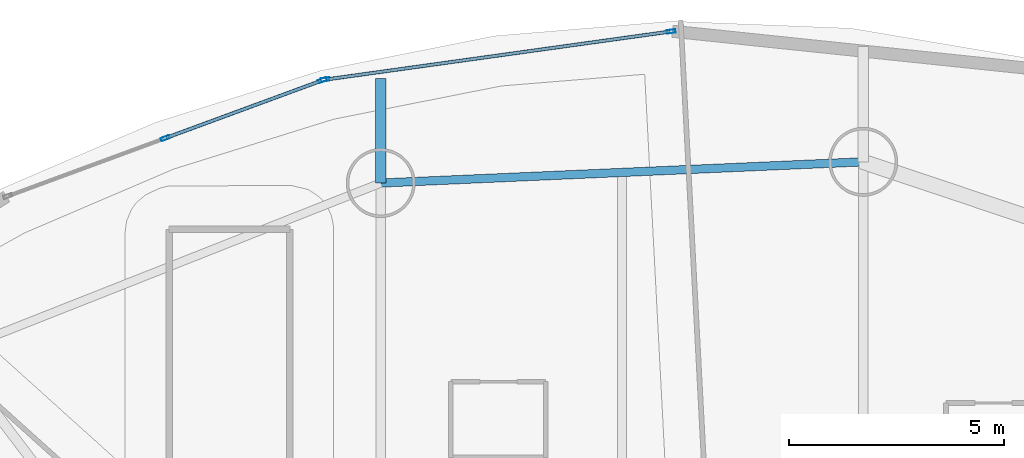
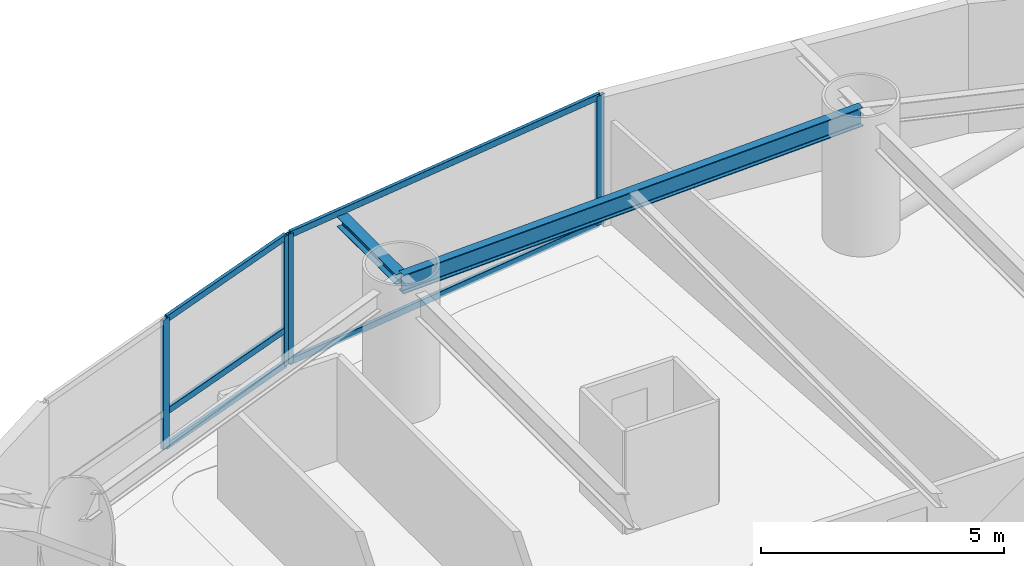
# One storey, part 19 of 30: 9 members, 2 beams, 2 elements without a shape of their own.
"""IFC4 building model written with IfcOpenShell, lengths in metres."""

from ifc_helpers import new_model, si_unit, direction, frame, origin, origin_2d, place, context, subcontext, project, spatial, hollow_rectangle, i_section, extrude, material, layer, layer_set, material_profile, profile_set, type_object, element, aggregate, save


model = new_model("IFC4")

# Units and contexts
model_context = context("Model", 3, precision=1e-05, world=origin(), true_north=direction((0.0, 1.0)))
body_context = subcontext(model_context, "Body", "Model", "MODEL_VIEW")
ifc_project = project(units=[si_unit("LENGTHUNIT", "METRE"), si_unit("AREAUNIT", "SQUARE_METRE"), si_unit("VOLUMEUNIT", "CUBIC_METRE"), si_unit("PLANEANGLEUNIT", "RADIAN"), si_unit("MASSUNIT", "GRAM", prefix="KILO")], contexts=[model_context])

# Site, building, storey
site_placement = place(None, origin())
site = spatial("IfcSite", under=ifc_project, at=site_placement, CompositionType="ELEMENT")
building_placement = place(site_placement, origin())
building = spatial("IfcBuilding", under=site, at=building_placement, Name="Bramvorn Convention Spire", CompositionType="ELEMENT")
storey_placement = place(building_placement, frame((0.0, 0.0, 86.89990234375)))
storey = spatial("IfcBuildingStorey", under=building, at=storey_placement, Name="L20", CompositionType="ELEMENT", Elevation=86.89990234375)

# Beams
ifc_material_1 = material(Name="Steel CSA G40.21 Grade 350 (350W)", Category="steel")
ifc_material_profile_1 = material_profile(ifc_material_1, i_section(OverallWidth=0.25390625, OverallDepth=0.2529296875, WebThickness=0.008544921875, FlangeThickness=0.01416015625, FilletRadius=0.011962890625, at=origin_2d()))
ifc_profile_set_1 = profile_set([ifc_material_profile_1], Name="Steel CSA G40.21 Grade 350 (350W) - W250X73")
beam_type_1 = type_object("IfcBeamType", Name="BM-W250X73", PredefinedType="BEAM", material=ifc_profile_set_1)
beam_1_placement = place(storey_placement, frame((29.76220703125, 46.57666015625, 3.12353515625), z_axis=(0.0, 1.0, 0.0), x_axis=(-1.0, 0.0, 0.0)))
element("IfcBeam", 1, at=beam_1_placement, inside=storey, type_object=beam_type_1, Name="L20 slab-edge cantilever tip beam MC06", PredefinedType="BEAM", context=body_context, shape_type="SweptSolid", body=[
    extrude(i_section(OverallWidth=0.25390625, OverallDepth=0.2529296875, WebThickness=0.008544921875, FlangeThickness=0.01416015625, FilletRadius=0.011962890625, at=origin_2d()), origin(), (0.0, 0.0, 1.0), 2.421875),
])
ifc_material_profile_2 = material_profile(ifc_material_1, i_section(OverallWidth=0.194091796875, OverallDepth=0.468994140625, WebThickness=0.0126953125, FlangeThickness=0.0205078125, FilletRadius=0.01806640625, at=origin_2d()))
ifc_profile_set_2 = profile_set([ifc_material_profile_2], Name="Steel CSA G40.21 Grade 350 (350W) - W460X106")
beam_type_2 = type_object("IfcBeamType", Name="BM-W460X106", PredefinedType="SPANDREL", material=ifc_profile_set_2)
beam_2_placement = place(storey_placement, frame((40.9609375, 47.06884765625, 3.015625), z_axis=(-0.999035582762, -0.043907907889, 0.0), x_axis=(0.043907907889, -0.999035582762, 0.0)))
element("IfcBeam", 2, at=beam_2_placement, inside=storey, type_object=beam_type_2, Name="L20 mega-column ring beam 05", PredefinedType="SPANDREL", context=body_context, shape_type="SweptSolid", body=[
    extrude(i_section(OverallWidth=0.194091796875, OverallDepth=0.468994140625, WebThickness=0.0126953125, FlangeThickness=0.0205078125, FilletRadius=0.01806640625, at=origin_2d()), origin(), (0.0, 0.0, 1.0), 11.20947265625),
])

# Curtain wall, members
ifc_material_2 = material(Name="Anodised Bronze Unitised Curtain Wall", Category="aluminium")
ifc_layer = layer(ifc_material_2, 0.179931640625)
ifc_layer_set = layer_set([ifc_layer], Name="Anodised Bronze Unitised Curtain Wall - CW-HTL-FRIT")
curtain_wall_type = type_object("IfcCurtainWallType", Name="CW-HTL-FRIT", PredefinedType="USERDEFINED", material=ifc_layer_set)
curtain_wall_1_placement = place(storey_placement, origin())
curtain_wall_1 = element("IfcCurtainWall", 3, at=curtain_wall_1_placement, inside=storey, type_object=curtain_wall_type, Name="L20 fritted glass curtain wall 08", ObjectType="UNITISED CURTAIN WALL", PredefinedType="USERDEFINED")
ifc_material_3 = material(Name="Anodised Bronze Aluminium 6063-T6", Category="aluminium")
ifc_material_profile_3 = material_profile(ifc_material_3, hollow_rectangle(XDim=0.080078125, YDim=0.199951171875, WallThickness=0.00390625, InnerFilletRadius=0.0009765625, OuterFilletRadius=0.00390625, at=origin_2d()))
ifc_profile_set_3 = profile_set([ifc_material_profile_3], Name="Anodised Bronze Aluminium 6063-T6 - CWM80X200")
member_type_1 = type_object("IfcMemberType", Name="CW-MUL-180", PredefinedType="MULLION", material=ifc_profile_set_3)
member_1_placement = place(storey_placement, frame((28.468017578125, 48.976806640625, 0.0), z_axis=(0.0, 0.0, 1.0), x_axis=(-0.137892553048, 0.990447193854, 0.0)))
member_1 = element("IfcMember", 4, at=member_1_placement, type_object=member_type_1, Name="CW2 mullion 1", PredefinedType="MULLION", context=body_context, shape_type="SweptSolid", body=[
    extrude(hollow_rectangle(XDim=0.080078125, YDim=0.199951171875, WallThickness=0.00390625, InnerFilletRadius=0.0009765625, OuterFilletRadius=0.00390625, at=origin_2d()), origin(), (0.0, 0.0, 1.0), 3.25),
])
member_2_placement = place(storey_placement, frame((36.50146484375, 50.09521484375, 0.0), z_axis=(0.0, 0.0, 1.0), x_axis=(-0.137892553048, 0.990447193854, 0.0)))
member_2 = element("IfcMember", 5, at=member_2_placement, type_object=member_type_1, Name="CW2 mullion 2", PredefinedType="MULLION", context=body_context, shape_type="SweptSolid", body=[
    extrude(hollow_rectangle(XDim=0.080078125, YDim=0.199951171875, WallThickness=0.00390625, InnerFilletRadius=0.0009765625, OuterFilletRadius=0.00390625, at=origin_2d()), origin(), (0.0, 0.0, 1.0), 3.25),
])

curtain_wall_2_placement = place(storey_placement, origin())
curtain_wall_2 = element("IfcCurtainWall", 6, at=curtain_wall_2_placement, inside=storey, type_object=curtain_wall_type, Name="L20 fritted glass curtain wall 09", ObjectType="UNITISED CURTAIN WALL", PredefinedType="USERDEFINED")
member_3_placement = place(storey_placement, frame((24.757568359375, 47.6171875, 0.0), z_axis=(0.0, 0.0, 1.0), x_axis=(-0.345578349374, 0.938389900012, 0.0)))
member_3 = element("IfcMember", 7, at=member_3_placement, type_object=member_type_1, Name="CW2 mullion 2", PredefinedType="MULLION", context=body_context, shape_type="SweptSolid", body=[
    extrude(hollow_rectangle(XDim=0.080078125, YDim=0.199951171875, WallThickness=0.00390625, InnerFilletRadius=0.0009765625, OuterFilletRadius=0.00390625, at=origin_2d()), origin(), (0.0, 0.0, 1.0), 3.25),
])
member_4_placement = place(storey_placement, frame((28.41015625, 48.96240234375, 0.0), z_axis=(0.0, 0.0, 1.0), x_axis=(-0.345578349374, 0.938389900012, 0.0)))
member_4 = element("IfcMember", 8, at=member_4_placement, type_object=member_type_1, Name="CW2 mullion 3", PredefinedType="MULLION", context=body_context, shape_type="SweptSolid", body=[
    extrude(hollow_rectangle(XDim=0.080078125, YDim=0.199951171875, WallThickness=0.00390625, InnerFilletRadius=0.0009765625, OuterFilletRadius=0.00390625, at=origin_2d()), origin(), (0.0, 0.0, 1.0), 3.25),
])

# Member
ifc_material_profile_4 = material_profile(ifc_material_3, hollow_rectangle(XDim=0.080078125, YDim=0.159912109375, WallThickness=0.00390625, InnerFilletRadius=0.0009765625, OuterFilletRadius=0.00390625, at=origin_2d()))
ifc_profile_set_4 = profile_set([ifc_material_profile_4], Name="Anodised Bronze Aluminium 6063-T6 - CWT80X160")
member_type_2 = type_object("IfcMemberType", Name="CW-TRN-150", PredefinedType="USERDEFINED", material=ifc_profile_set_4)
member_5_placement = place(storey_placement, frame((28.497802734375, 48.98095703125, 0.030029296875), z_axis=(0.990447801368, 0.137888189364, 0.0), x_axis=(-0.137888189364, 0.990447801368, 0.0)))
member_5 = element("IfcMember", 9, at=member_5_placement, type_object=member_type_2, Name="CW2 transom 1.1", ObjectType="TRANSOM", PredefinedType="USERDEFINED", context=body_context, shape_type="SweptSolid", body=[
    extrude(hollow_rectangle(XDim=0.080078125, YDim=0.159912109375, WallThickness=0.00390625, InnerFilletRadius=0.0009765625, OuterFilletRadius=0.00390625, at=origin_2d()), origin(), (0.0, 0.0, 1.0), 8.05078125),
])

member_6_placement = place(storey_placement, frame((28.497802734375, 48.98095703125, 3.22021484375), z_axis=(0.990447801368, 0.137888189364, 0.0), x_axis=(-0.137888189364, 0.990447801368, 0.0)))
member_6 = element("IfcMember", 10, at=member_6_placement, type_object=member_type_2, Name="CW2 transom 1.2", ObjectType="TRANSOM", PredefinedType="USERDEFINED", context=body_context, shape_type="SweptSolid", body=[
    extrude(hollow_rectangle(XDim=0.080078125, YDim=0.159912109375, WallThickness=0.00390625, InnerFilletRadius=0.0009765625, OuterFilletRadius=0.00390625, at=origin_2d()), origin(), (0.0, 0.0, 1.0), 8.05078125),
])

aggregate(curtain_wall_1, [member_1, member_2, member_5, member_6])

member_7_placement = place(storey_placement, frame((24.785888671875, 47.627685546875, 0.030029296875), z_axis=(0.938401837878, 0.345545931341, 0.0), x_axis=(-0.345545931341, 0.938401837878, 0.0)))
member_7 = element("IfcMember", 11, at=member_7_placement, type_object=member_type_2, Name="CW2 transom 2.1", ObjectType="TRANSOM", PredefinedType="USERDEFINED", context=body_context, shape_type="SweptSolid", body=[
    extrude(hollow_rectangle(XDim=0.080078125, YDim=0.159912109375, WallThickness=0.00390625, InnerFilletRadius=0.0009765625, OuterFilletRadius=0.00390625, at=origin_2d()), origin(), (0.0, 0.0, 1.0), 3.832275390625),
])

member_8_placement = place(storey_placement, frame((24.785888671875, 47.627685546875, 0.900146484375), z_axis=(0.938401837878, 0.345545931341, 0.0), x_axis=(-0.345545931341, 0.938401837878, 0.0)))
member_8 = element("IfcMember", 12, at=member_8_placement, type_object=member_type_2, Name="CW2 transom 2.2", ObjectType="TRANSOM", PredefinedType="USERDEFINED", context=body_context, shape_type="SweptSolid", body=[
    extrude(hollow_rectangle(XDim=0.080078125, YDim=0.159912109375, WallThickness=0.00390625, InnerFilletRadius=0.0009765625, OuterFilletRadius=0.00390625, at=origin_2d()), origin(), (0.0, 0.0, 1.0), 3.832275390625),
])

member_9_placement = place(storey_placement, frame((24.785888671875, 47.627685546875, 3.22021484375), z_axis=(0.938401837878, 0.345545931341, 0.0), x_axis=(-0.345545931341, 0.938401837878, 0.0)))
member_9 = element("IfcMember", 13, at=member_9_placement, type_object=member_type_2, Name="CW2 transom 2.3", ObjectType="TRANSOM", PredefinedType="USERDEFINED", context=body_context, shape_type="SweptSolid", body=[
    extrude(hollow_rectangle(XDim=0.080078125, YDim=0.159912109375, WallThickness=0.00390625, InnerFilletRadius=0.0009765625, OuterFilletRadius=0.00390625, at=origin_2d()), origin(), (0.0, 0.0, 1.0), 3.832275390625),
])

aggregate(curtain_wall_2, [member_3, member_4, member_7, member_8, member_9])

save(model, "model.ifc")
